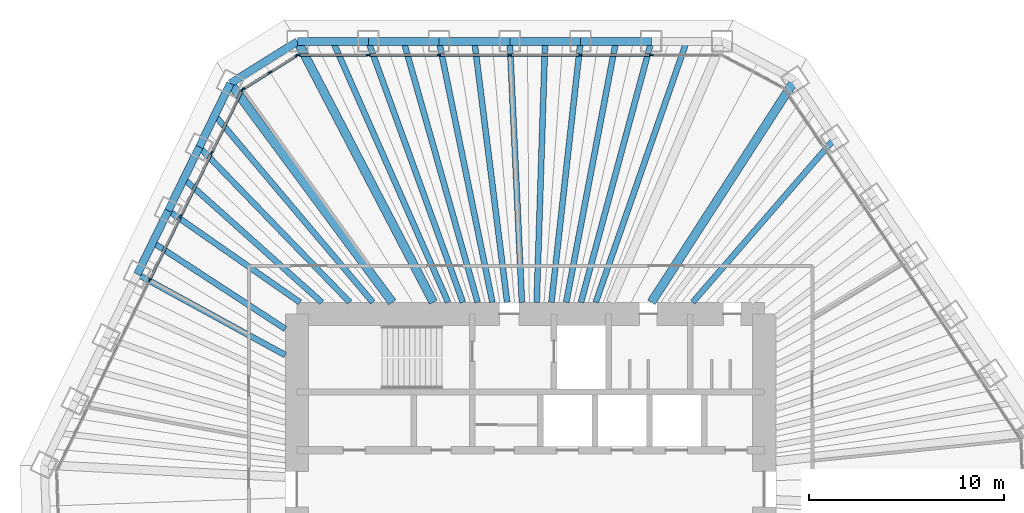
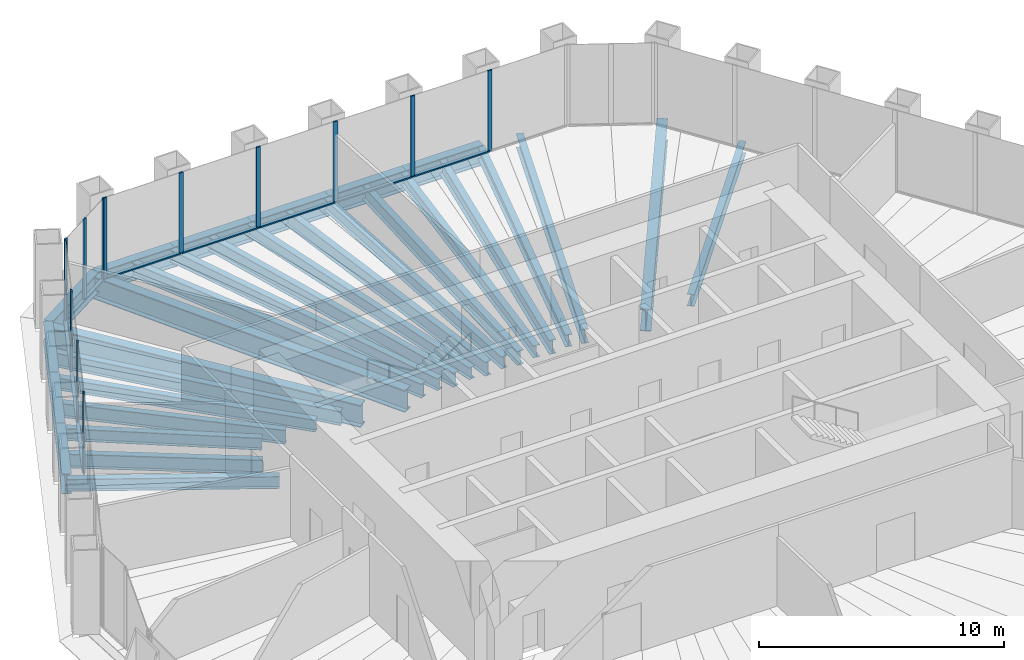
# One storey, part 6 of 13: 30 beams, 23 members, 3 elements without a shape of their own.
"""IFC4 building model written with IfcOpenShell, lengths in metres."""

import ifcopenshell
import ifcopenshell.guid

model = None  # the IFC model being written
_history = None  # IfcOwnerHistory: only IFC2X3 demands one
_inside = {}  # id of a spatial element -> (the spatial element, [elements in it])
_under = {}  # id of a project, library or spatial element -> (it, [spatial elements below it])
_declared = {}  # id of a project -> (the project, [libraries it declares])
_typed = {}  # id of a type object -> (the type object, [elements of that type])
_made_of = {}  # id of a material, layer set ... -> (it, [elements and type objects made of it])


def new_model(schema):
    """Start an empty IFC model of exactly this schema.

    Asked for "IFC4X3", IfcOpenShell would pick the latest addendum, in which some entities
    have other attributes; the version numbers below select the first issue.
    IFC2X3 requires an IfcOwnerHistory on every rooted entity: one is made here for all.
    """
    global model, _history
    if schema == "IFC4X3":
        model = ifcopenshell.file(schema_version=(4, 3, 0, 0))
    else:
        model = ifcopenshell.file(schema=schema)
    _inside.clear()
    _under.clear()
    _declared.clear()
    _typed.clear()
    _made_of.clear()
    _history = None
    if model.schema == "IFC2X3":
        org = make("IfcOrganization", Name="unknown")
        user = make(
            "IfcPersonAndOrganization",
            ThePerson=make("IfcPerson", FamilyName="unknown"),
            TheOrganization=org,
        )
        app = make(
            "IfcApplication",
            ApplicationDeveloper=org,
            Version="unknown",
            ApplicationFullName="unknown",
            ApplicationIdentifier="unknown",
        )
        _history = make(
            "IfcOwnerHistory",
            OwningUser=user,
            OwningApplication=app,
            ChangeAction="ADDED",
            CreationDate=0,
        )
    return model


def make(cls, **values):
    """One entity of the class cls with the attributes given. An attribute that is None is left unset."""
    return model.create_entity(
        cls, **{name: value for name, value in values.items() if value is not None}
    )


def rooted(cls, **values):
    """An entity with a GlobalId (a new one), such as an element, a storey or a relation."""
    return make(cls, GlobalId=ifcopenshell.guid.new(), OwnerHistory=_history, **values)


def si_unit(unit_type, name, prefix=None):
    """IfcSIUnit, for example si_unit("LENGTHUNIT", "METRE", prefix="MILLI")."""
    return make("IfcSIUnit", UnitType=unit_type, Prefix=prefix, Name=name)


def assignment(units):
    """IfcUnitAssignment: the units of a project."""
    return None if units is None else make("IfcUnitAssignment", Units=units)


def point(xyz):
    """IfcCartesianPoint."""
    return None if xyz is None else make("IfcCartesianPoint", Coordinates=xyz)


def direction(xyz):
    """IfcDirection."""
    return None if xyz is None else make("IfcDirection", DirectionRatios=xyz)


def frame(location, z_axis=None, x_axis=None):
    """IfcAxis2Placement3D, a coordinate frame: its origin and axes. An axis left out is left unset."""
    return make(
        "IfcAxis2Placement3D",
        Location=point(location),
        Axis=direction(z_axis),
        RefDirection=direction(x_axis),
    )


def frame_2d(location, x_axis=None):
    """IfcAxis2Placement2D, a coordinate frame in the plane: its origin and x axis."""
    return make(
        "IfcAxis2Placement2D", Location=point(location), RefDirection=direction(x_axis)
    )


def origin():
    """The frame at (0, 0, 0) with its axes left unset."""
    return frame((0.0, 0.0, 0.0))


def origin_2d():
    """The frame at (0, 0) in the plane with its x axis left unset."""
    return frame_2d((0.0, 0.0))


def place(relative_to, where):
    """IfcLocalPlacement: puts the frame where relative to a parent placement (None: the world)."""
    return make(
        "IfcLocalPlacement", PlacementRelTo=relative_to, RelativePlacement=where
    )


def context(
    kind, dimensions, precision=None, world=None, true_north=None, identifier=None
):
    """IfcGeometricRepresentationContext, for example the 3D "Model" context."""
    return make(
        "IfcGeometricRepresentationContext",
        ContextIdentifier=identifier,
        ContextType=kind,
        CoordinateSpaceDimension=dimensions,
        Precision=precision,
        WorldCoordinateSystem=world,
        TrueNorth=true_north,
    )


def subcontext(parent, identifier, kind, view, scale=None):
    """IfcGeometricRepresentationSubContext, for example "Body" below "Model"."""
    return make(
        "IfcGeometricRepresentationSubContext",
        ContextIdentifier=identifier,
        ContextType=kind,
        ParentContext=parent,
        TargetScale=scale,
        TargetView=view,
    )


def project(units=None, contexts=None):
    """IfcProject with its units and contexts."""
    return rooted(
        "IfcProject",
        Name="project",
        RepresentationContexts=contexts,
        UnitsInContext=assignment(units),
    )


def spatial(cls, under=None, at=None, **own):
    """A site, building, storey or space (cls), placed at a placement, below another one or the project."""
    s = rooted(cls, ObjectPlacement=at, **own)
    if under is not None:
        _under.setdefault(under.id(), (under, []))[1].append(s)
    return s


def profile(cls, at=None, kind="AREA", **sizes):
    """A parametric profile (cls). Its sizes go by their IFC names, for example OverallWidth=200.0."""
    return make(cls, ProfileType=kind, Position=at, **sizes)


def rectangle(**sizes):
    """IfcRectangleProfileDef."""
    return profile("IfcRectangleProfileDef", **sizes)


def i_section(**sizes):
    """IfcIShapeProfileDef."""
    return profile("IfcIShapeProfileDef", **sizes)


def extrude(swept, where, along, depth):
    """IfcExtrudedAreaSolid: the profile swept, set in the frame where, extruded along a direction by depth."""
    return make(
        "IfcExtrudedAreaSolid",
        SweptArea=swept,
        Position=where,
        ExtrudedDirection=direction(along),
        Depth=depth,
    )


def shape(context_of_items, identifier, shape_type, items):
    """IfcShapeRepresentation: the items that make up one representation, for example the "Body"."""
    return make(
        "IfcShapeRepresentation",
        ContextOfItems=context_of_items,
        RepresentationIdentifier=identifier,
        RepresentationType=shape_type,
        Items=items,
    )


def material(Name=None, Category=None):
    """IfcMaterial."""
    return make("IfcMaterial", Name=Name, Category=Category)


def material_profile(
    of_material, cross_section, Name=None, Category=None, Priority=None
):
    """IfcMaterialProfile: a cross section and its material."""
    return make(
        "IfcMaterialProfile",
        Name=Name,
        Material=of_material,
        Profile=cross_section,
        Priority=Priority,
        Category=Category,
    )


def profile_set(profiles, Name=None, composite=None):
    """IfcMaterialProfileSet."""
    return make(
        "IfcMaterialProfileSet",
        Name=Name,
        MaterialProfiles=profiles,
        CompositeProfile=composite,
    )


def made_of(thing, what):
    """Note that an element or type object is made of a material, layer set ...; save() writes the relation."""
    if what is not None:
        _made_of.setdefault(what.id(), (what, []))[1].append(thing)
    return thing


def type_object(cls, material=None, **own):
    """A type object (cls), such as IfcWallType, which elements share."""
    return made_of(rooted(cls, **own), material)


def element(
    cls,
    number,
    at=None,
    inside=None,
    cuts=None,
    type_object=None,
    material=None,
    context=None,
    identifier="Body",
    shape_type=None,
    held_by="IfcProductDefinitionShape",
    body=None,
    shapes=None,
    **own,
):
    """One element of the class cls, such as IfcWall. Its Tag is "e" and its number.

    at: its placement. inside: the storey or other place that contains it. cuts: it is an
    opening in that element (IfcRelVoidsElement). A single representation is given by context,
    identifier, shape_type and body (its items); several are given by shapes. held_by: the class
    of the entity that holds the representations. save() writes the other relations.
    """
    e = rooted(cls, Tag="e%d" % number, ObjectPlacement=at, **own)
    if body is not None:
        shapes = [shape(context, identifier, shape_type, body)]
    if shapes is not None:
        e.Representation = make(held_by, Representations=shapes)
    if inside is not None:
        _inside.setdefault(inside.id(), (inside, []))[1].append(e)
    if cuts is not None:
        rooted(
            "IfcRelVoidsElement", RelatingBuildingElement=cuts, RelatedOpeningElement=e
        )
    if type_object is not None:
        _typed.setdefault(type_object.id(), (type_object, []))[1].append(e)
    return made_of(e, material)


def aggregate(whole, parts):
    """IfcRelAggregates: a whole, such as a stair, and the parts it consists of."""
    return rooted("IfcRelAggregates", RelatingObject=whole, RelatedObjects=parts)


def save(model, path):
    """Write the relations noted so far, then the file.

    IfcRelAggregates (storeys below a building ...), IfcRelContainedInSpatialStructure (elements
    in a storey), IfcRelDefinesByType, IfcRelAssociatesMaterial and IfcRelDeclares: one each for
    every whole, place, type object, material and project.
    """
    for whole, parts in _under.values():
        aggregate(whole, parts)
    for where, things in _inside.values():
        rooted(
            "IfcRelContainedInSpatialStructure",
            RelatedElements=things,
            RelatingStructure=where,
        )
    for kind, things in _typed.values():
        rooted("IfcRelDefinesByType", RelatedObjects=things, RelatingType=kind)
    for what, things in _made_of.values():
        rooted("IfcRelAssociatesMaterial", RelatedObjects=things, RelatingMaterial=what)
    for by, libraries in _declared.values():
        rooted("IfcRelDeclares", RelatingContext=by, RelatedDefinitions=libraries)
    model.write(path)


model = new_model("IFC4")

# Units and contexts
model_context = context("Model", 3, precision=1e-05, world=origin(), true_north=direction((0.0, 1.0)))
body_context = subcontext(model_context, "Body", "Model", "MODEL_VIEW")
ifc_project = project(units=[si_unit("LENGTHUNIT", "METRE"), si_unit("AREAUNIT", "SQUARE_METRE"), si_unit("VOLUMEUNIT", "CUBIC_METRE"), si_unit("PLANEANGLEUNIT", "RADIAN"), si_unit("MASSUNIT", "GRAM", prefix="KILO")], contexts=[model_context])

# Site, building, storey
site_placement = place(None, origin())
site = spatial("IfcSite", under=ifc_project, at=site_placement, CompositionType="ELEMENT")
building_placement = place(site_placement, origin())
building = spatial("IfcBuilding", under=site, at=building_placement, Name="Qingtian Harvest Tower", CompositionType="ELEMENT")
storey_placement = place(building_placement, frame((0.0, 0.0, 218.199951171875)))
storey = spatial("IfcBuildingStorey", under=building, at=storey_placement, Name="L47", CompositionType="ELEMENT", Elevation=218.199951171875)

# Beams
ifc_material_1 = material(Name="Steel SM570MC", Category="steel")
ifc_material_profile_1 = material_profile(ifc_material_1, i_section(OverallWidth=0.449951171875, OverallDepth=1.10009765625, WebThickness=0.02197265625, FlangeThickness=0.044921875, at=origin_2d()), Name="H1100x450x22x45")
ifc_profile_set_1 = profile_set([ifc_material_profile_1], Name="Steel SM570MC")
beam_type_1 = type_object("IfcBeamType", Name="Corner floor beam FB8 H1100x450x22x45", PredefinedType="BEAM", material=ifc_profile_set_1)
beam_1_placement = place(storey_placement, frame((-11.971923828125, 23.0, -0.719970703125), z_axis=(0.461712460868, -0.887029651973, 0.0), x_axis=(0.887029651973, 0.461712460868, 0.0)))
element("IfcBeam", 1, at=beam_1_placement, inside=storey, type_object=beam_type_1, Name="Floor beam FB8 N0", PredefinedType="BEAM", context=body_context, shape_type="SweptSolid", body=[
    extrude(i_section(OverallWidth=0.449951171875, OverallDepth=1.10009765625, WebThickness=0.02197265625, FlangeThickness=0.044921875, at=origin_2d()), origin(), (0.0, 0.0, 1.0), 15.1064453125),
])
beam_2_placement = place(storey_placement, frame((13.5712890625, 21.01025390625, -0.719970703125), z_axis=(-0.542593072822, -0.839995688873, 0.0), x_axis=(0.839995688873, -0.542593072822, 0.0)))
element("IfcBeam", 2, at=beam_2_placement, inside=storey, type_object=beam_type_1, Name="Floor beam FB8 NE0", PredefinedType="BEAM", context=body_context, shape_type="SweptSolid", body=[
    extrude(i_section(OverallWidth=0.449951171875, OverallDepth=1.10009765625, WebThickness=0.02197265625, FlangeThickness=0.044921875, at=origin_2d()), origin(), (0.0, 0.0, 1.0), 13.58349609375),
])
beam_3_placement = place(storey_placement, frame((-15.424072265625, 20.8427734375, -0.719970703125), z_axis=(0.594854284538, -0.803833552526, 0.0), x_axis=(0.803833552526, 0.594854284538, 0.0)))
element("IfcBeam", 3, at=beam_3_placement, inside=storey, type_object=beam_type_1, Name="Floor beam FB8 NW6", PredefinedType="BEAM", context=body_context, shape_type="SweptSolid", body=[
    extrude(i_section(OverallWidth=0.449951171875, OverallDepth=1.10009765625, WebThickness=0.02197265625, FlangeThickness=0.044921875, at=origin_2d()), origin(), (0.0, 0.0, 1.0), 13.986328125),
])
ifc_material_2 = material(Name="Steel SN490B", Category="steel")
ifc_material_profile_2 = material_profile(ifc_material_2, i_section(OverallWidth=0.300048828125, OverallDepth=0.60009765625, WebThickness=0.011962890625, FlangeThickness=0.02001953125, at=origin_2d()), Name="H600x300x12x20")
ifc_profile_set_2 = profile_set([ifc_material_profile_2], Name="Steel SN490B")
beam_type_2 = type_object("IfcBeamType", Name="Floor beam FB3 H600x300x12x20", PredefinedType="BEAM", material=ifc_profile_set_2)
beam_4_placement = place(storey_placement, frame((-8.33837890625, 23.0, -0.469970703125), z_axis=(0.340826952705, -0.94012604916, 0.0), x_axis=(0.94012604916, 0.340826952705, 0.0)))
element("IfcBeam", 4, at=beam_4_placement, inside=storey, type_object=beam_type_2, Name="Floor beam FB3 N1", PredefinedType="BEAM", context=body_context, shape_type="SweptSolid", body=[
    extrude(i_section(OverallWidth=0.300048828125, OverallDepth=0.60009765625, WebThickness=0.011962890625, FlangeThickness=0.02001953125, at=origin_2d()), origin(), (0.0, 0.0, 1.0), 14.25341796875),
])
beam_5_placement = place(storey_placement, frame((-4.704833984375, 23.0, -0.469970703125), z_axis=(0.200401687601, -0.979713817197, 0.0), x_axis=(0.979713817197, 0.200401687601, 0.0)))
element("IfcBeam", 5, at=beam_5_placement, inside=storey, type_object=beam_type_2, Name="Floor beam FB3 N2", PredefinedType="BEAM", context=body_context, shape_type="SweptSolid", body=[
    extrude(i_section(OverallWidth=0.300048828125, OverallDepth=0.60009765625, WebThickness=0.011962890625, FlangeThickness=0.02001953125, at=origin_2d()), origin(), (0.0, 0.0, 1.0), 13.67724609375),
])
beam_6_placement = place(storey_placement, frame((-1.0712890625, 23.0, -0.469970703125), z_axis=(0.04651883736, -0.998917412888, 0.0), x_axis=(0.998917412888, 0.04651883736, 0.0)))
element("IfcBeam", 6, at=beam_6_placement, inside=storey, type_object=beam_type_2, Name="Floor beam FB3 N3", PredefinedType="BEAM", context=body_context, shape_type="SweptSolid", body=[
    extrude(i_section(OverallWidth=0.300048828125, OverallDepth=0.60009765625, WebThickness=0.011962890625, FlangeThickness=0.02001953125, at=origin_2d()), origin(), (0.0, 0.0, 1.0), 13.414306640625),
])
beam_7_placement = place(storey_placement, frame((2.562255859375, 23.0, -0.469970703125), z_axis=(-0.110727645803, -0.993850787822, 0.0), x_axis=(0.993850787822, -0.110727645803, 0.0)))
element("IfcBeam", 7, at=beam_7_placement, inside=storey, type_object=beam_type_2, Name="Floor beam FB3 N4", PredefinedType="BEAM", context=body_context, shape_type="SweptSolid", body=[
    extrude(i_section(OverallWidth=0.300048828125, OverallDepth=0.60009765625, WebThickness=0.011962890625, FlangeThickness=0.02001953125, at=origin_2d()), origin(), (0.0, 0.0, 1.0), 13.48291015625),
])
beam_8_placement = place(storey_placement, frame((6.19580078125, 23.0, -0.469970703125), z_axis=(-0.260121100906, -0.965576000563, 0.0), x_axis=(0.965576000563, -0.260121100906, 0.0)))
element("IfcBeam", 8, at=beam_8_placement, inside=storey, type_object=beam_type_2, Name="Floor beam FB3 N5", PredefinedType="BEAM", context=body_context, shape_type="SweptSolid", body=[
    extrude(i_section(OverallWidth=0.300048828125, OverallDepth=0.60009765625, WebThickness=0.011962890625, FlangeThickness=0.02001953125, at=origin_2d()), origin(), (0.0, 0.0, 1.0), 13.877685546875),
])
beam_9_placement = place(storey_placement, frame((15.603271484375, 17.998046875, -0.469970703125), z_axis=(-0.655048444444, -0.755586881458, 0.0), x_axis=(0.755586881458, -0.655048444444, 0.0)))
element("IfcBeam", 9, at=beam_9_placement, inside=storey, type_object=beam_type_2, Name="Floor beam FB3 NE1", PredefinedType="BEAM", context=body_context, shape_type="SweptSolid", body=[
    extrude(i_section(OverallWidth=0.300048828125, OverallDepth=0.60009765625, WebThickness=0.011962890625, FlangeThickness=0.02001953125, at=origin_2d()), origin(), (0.0, 0.0, 1.0), 11.114501953125),
])
beam_10_placement = place(storey_placement, frame((-20.20263671875, 11.04541015625, -0.469970703125), z_axis=(0.87742673539, -0.479710666988, 0.0), x_axis=(0.479710666988, 0.87742673539, 0.0)))
element("IfcBeam", 10, at=beam_10_placement, inside=storey, type_object=beam_type_2, Name="Floor beam FB3 NW3", PredefinedType="BEAM", context=body_context, shape_type="SweptSolid", body=[
    extrude(i_section(OverallWidth=0.300048828125, OverallDepth=0.60009765625, WebThickness=0.011962890625, FlangeThickness=0.02001953125, at=origin_2d()), origin(), (0.0, 0.0, 1.0), 8.66455078125),
])
beam_11_placement = place(storey_placement, frame((-18.60986328125, 14.311279296875, -0.469970703125), z_axis=(0.820407854234, -0.571778762032, 0.0), x_axis=(0.571778762032, 0.820407854234, 0.0)))
element("IfcBeam", 11, at=beam_11_placement, inside=storey, type_object=beam_type_2, Name="Floor beam FB3 NW4", PredefinedType="BEAM", context=body_context, shape_type="SweptSolid", body=[
    extrude(i_section(OverallWidth=0.300048828125, OverallDepth=0.60009765625, WebThickness=0.011962890625, FlangeThickness=0.02001953125, at=origin_2d()), origin(), (0.0, 0.0, 1.0), 8.239501953125),
])
beam_12_placement = place(storey_placement, frame((-17.016845703125, 17.5771484375, -0.469970703125), z_axis=(0.695569024353, -0.718459276759, 0.0), x_axis=(0.718459276759, 0.695569024353, 0.0)))
element("IfcBeam", 12, at=beam_12_placement, inside=storey, type_object=beam_type_2, Name="Floor beam FB3 NW5", PredefinedType="BEAM", context=body_context, shape_type="SweptSolid", body=[
    extrude(i_section(OverallWidth=0.300048828125, OverallDepth=0.60009765625, WebThickness=0.011962890625, FlangeThickness=0.02001953125, at=origin_2d()), origin(), (0.0, 0.0, 1.0), 11.10302734375),
])
ifc_material_3 = material(Name="Steel SN490B", Category="steel")
ifc_material_profile_3 = material_profile(ifc_material_3, i_section(OverallWidth=0.300048828125, OverallDepth=0.699951171875, WebThickness=0.012939453125, FlangeThickness=0.02392578125, at=origin_2d()), Name="H700x300x13x24")
ifc_profile_set_3 = profile_set([ifc_material_profile_3], Name="Steel SN490B")
beam_type_3 = type_object("IfcBeamType", Name="Floor joist J2 H700x300x13x24", PredefinedType="JOIST", material=ifc_profile_set_3)
beam_13_placement = place(storey_placement, frame((-10.1552734375, 23.0, -0.52001953125), z_axis=(0.40391347792, -0.914797191925, 0.0), x_axis=(0.914797191925, 0.40391347792, 0.0)))
element("IfcBeam", 13, at=beam_13_placement, inside=storey, type_object=beam_type_3, Name="Floor joist J2 N0", PredefinedType="JOIST", context=body_context, shape_type="SweptSolid", body=[
    extrude(i_section(OverallWidth=0.300048828125, OverallDepth=0.699951171875, WebThickness=0.012939453125, FlangeThickness=0.02392578125, at=origin_2d()), origin(), (0.0, 0.0, 1.0), 14.64794921875),
])
beam_14_placement = place(storey_placement, frame((-6.521728515625, 23.0, -0.52001953125), z_axis=(0.272796737564, -0.962071691702, 0.0), x_axis=(0.962071691702, 0.272796737564, 0.0)))
element("IfcBeam", 14, at=beam_14_placement, inside=storey, type_object=beam_type_3, Name="Floor joist J2 N1", PredefinedType="JOIST", context=body_context, shape_type="SweptSolid", body=[
    extrude(i_section(OverallWidth=0.300048828125, OverallDepth=0.699951171875, WebThickness=0.012939453125, FlangeThickness=0.02392578125, at=origin_2d()), origin(), (0.0, 0.0, 1.0), 13.92822265625),
])
beam_15_placement = place(storey_placement, frame((-2.88818359375, 23.0, -0.52001953125), z_axis=(0.124590949529, -0.992208191508, 0.0), x_axis=(0.992208191508, 0.124590949529, 0.0)))
element("IfcBeam", 15, at=beam_15_placement, inside=storey, type_object=beam_type_3, Name="Floor joist J2 N2", PredefinedType="JOIST", context=body_context, shape_type="SweptSolid", body=[
    extrude(i_section(OverallWidth=0.300048828125, OverallDepth=0.699951171875, WebThickness=0.012939453125, FlangeThickness=0.02392578125, at=origin_2d()), origin(), (0.0, 0.0, 1.0), 13.505126953125),
])
beam_16_placement = place(storey_placement, frame((0.745361328125, 23.0, -0.52001953125), z_axis=(-0.032395624487, -0.99947512401, 0.0), x_axis=(0.99947512401, -0.032395624487, 0.0)))
element("IfcBeam", 16, at=beam_16_placement, inside=storey, type_object=beam_type_3, Name="Floor joist J2 N3", PredefinedType="JOIST", context=body_context, shape_type="SweptSolid", body=[
    extrude(i_section(OverallWidth=0.300048828125, OverallDepth=0.699951171875, WebThickness=0.012939453125, FlangeThickness=0.02392578125, at=origin_2d()), origin(), (0.0, 0.0, 1.0), 13.406982421875),
])
beam_17_placement = place(storey_placement, frame((4.37890625, 23.0, -0.52001953125), z_axis=(-0.187034797062, -0.982353289142, 0.0), x_axis=(0.982353289142, -0.187034797062, 0.0)))
element("IfcBeam", 17, at=beam_17_placement, inside=storey, type_object=beam_type_3, Name="Floor joist J2 N4", PredefinedType="JOIST", context=body_context, shape_type="SweptSolid", body=[
    extrude(i_section(OverallWidth=0.300048828125, OverallDepth=0.699951171875, WebThickness=0.012939453125, FlangeThickness=0.02392578125, at=origin_2d()), origin(), (0.0, 0.0, 1.0), 13.640625),
])
beam_18_placement = place(storey_placement, frame((8.012451171875, 23.0, -0.52001953125), z_axis=(-0.328969033283, -0.944340709247, 0.0), x_axis=(0.944340709247, -0.328969033283, 0.0)))
element("IfcBeam", 18, at=beam_18_placement, inside=storey, type_object=beam_type_3, Name="Floor joist J2 N5", PredefinedType="JOIST", context=body_context, shape_type="SweptSolid", body=[
    extrude(i_section(OverallWidth=0.300048828125, OverallDepth=0.699951171875, WebThickness=0.012939453125, FlangeThickness=0.02392578125, at=origin_2d()), origin(), (0.0, 0.0, 1.0), 14.189697265625),
])
beam_19_placement = place(storey_placement, frame((-19.40625, 12.678466796875, -0.52001953125), z_axis=(0.837161066611, -0.546956441182, 0.0), x_axis=(0.546956441182, 0.837161066611, 0.0)))
element("IfcBeam", 19, at=beam_19_placement, inside=storey, type_object=beam_type_3, Name="Floor joist J2 NW3", PredefinedType="JOIST", context=body_context, shape_type="SweptSolid", body=[
    extrude(i_section(OverallWidth=0.300048828125, OverallDepth=0.699951171875, WebThickness=0.012939453125, FlangeThickness=0.02392578125, at=origin_2d()), origin(), (0.0, 0.0, 1.0), 8.130126953125),
])
beam_20_placement = place(storey_placement, frame((-17.813232421875, 15.944091796875, -0.52001953125), z_axis=(0.745126517589, -0.66692313859, 0.0), x_axis=(0.66692313859, 0.745126517589, 0.0)))
element("IfcBeam", 20, at=beam_20_placement, inside=storey, type_object=beam_type_3, Name="Floor joist J2 NW4", PredefinedType="JOIST", context=body_context, shape_type="SweptSolid", body=[
    extrude(i_section(OverallWidth=0.300048828125, OverallDepth=0.699951171875, WebThickness=0.012939453125, FlangeThickness=0.02392578125, at=origin_2d()), origin(), (0.0, 0.0, 1.0), 9.512451171875),
])
beam_21_placement = place(storey_placement, frame((-16.220458984375, 19.2099609375, -0.52001953125), z_axis=(0.645157903911, -0.764049264787, 0.0), x_axis=(0.764049264787, 0.645157903911, 0.0)))
element("IfcBeam", 21, at=beam_21_placement, inside=storey, type_object=beam_type_3, Name="Floor joist J2 NW5", PredefinedType="JOIST", context=body_context, shape_type="SweptSolid", body=[
    extrude(i_section(OverallWidth=0.300048828125, OverallDepth=0.699951171875, WebThickness=0.012939453125, FlangeThickness=0.02392578125, at=origin_2d()), origin(), (0.0, 0.0, 1.0), 12.57763671875),
])

# Curtain wall, members
ifc_material_4 = material(Name="Bronze-anodised aluminium curtain wall", Category="aluminium")
curtain_wall_type = type_object("IfcCurtainWallType", Name="Curtain wall CW4 office", PredefinedType="USERDEFINED", material=ifc_material_4)
curtain_wall_1_placement = place(storey_placement, origin())
curtain_wall_1 = element("IfcCurtainWall", 22, at=curtain_wall_1_placement, inside=storey, type_object=curtain_wall_type, Name="Curtain wall CW4 L47 N0-5", ObjectType="RECESSED CURTAIN WALL", PredefinedType="USERDEFINED")
ifc_material_5 = material(Name="Bronze-anodised aluminium mullion", Category="aluminium")
ifc_material_profile_4 = material_profile(ifc_material_5, rectangle(XDim=0.06494140625, YDim=0.199951171875, at=origin_2d()), Name="AL 65x200")
ifc_profile_set_4 = profile_set([ifc_material_profile_4], Name="Bronze-anodised aluminium mullion")
member_type_1 = type_object("IfcMemberType", Name="Mullion CWM 65x200", PredefinedType="MULLION", material=ifc_profile_set_4)
member_1_placement = place(storey_placement, frame((-11.939453125, 22.300048828125, 0.0), z_axis=(0.0, 0.0, 1.0), x_axis=(0.0, 1.0, 0.0)))
member_1 = element("IfcMember", 23, at=member_1_placement, type_object=member_type_1, Name="CW4 mullion 1", PredefinedType="MULLION", context=body_context, shape_type="SweptSolid", body=[
    extrude(rectangle(XDim=0.06494140625, YDim=0.199951171875, at=origin_2d()), origin(), (0.0, 0.0, 1.0), 4.030029296875),
])
member_2_placement = place(storey_placement, frame((-8.33837890625, 22.300048828125, 0.0), z_axis=(0.0, 0.0, 1.0), x_axis=(0.0, 1.0, 0.0)))
member_2 = element("IfcMember", 24, at=member_2_placement, type_object=member_type_1, Name="CW4 mullion 2", PredefinedType="MULLION", context=body_context, shape_type="SweptSolid", body=[
    extrude(rectangle(XDim=0.06494140625, YDim=0.199951171875, at=origin_2d()), origin(), (0.0, 0.0, 1.0), 4.030029296875),
])
member_3_placement = place(storey_placement, frame((-4.704833984375, 22.300048828125, 0.0), z_axis=(0.0, 0.0, 1.0), x_axis=(0.0, 1.0, 0.0)))
member_3 = element("IfcMember", 25, at=member_3_placement, type_object=member_type_1, Name="CW4 mullion 3", PredefinedType="MULLION", context=body_context, shape_type="SweptSolid", body=[
    extrude(rectangle(XDim=0.06494140625, YDim=0.199951171875, at=origin_2d()), origin(), (0.0, 0.0, 1.0), 4.030029296875),
])
member_4_placement = place(storey_placement, frame((-1.0712890625, 22.300048828125, 0.0), z_axis=(0.0, 0.0, 1.0), x_axis=(0.0, 1.0, 0.0)))
member_4 = element("IfcMember", 26, at=member_4_placement, type_object=member_type_1, Name="CW4 mullion 4", PredefinedType="MULLION", context=body_context, shape_type="SweptSolid", body=[
    extrude(rectangle(XDim=0.06494140625, YDim=0.199951171875, at=origin_2d()), origin(), (0.0, 0.0, 1.0), 4.030029296875),
])
member_5_placement = place(storey_placement, frame((2.562255859375, 22.300048828125, 0.0), z_axis=(0.0, 0.0, 1.0), x_axis=(0.0, 1.0, 0.0)))
member_5 = element("IfcMember", 27, at=member_5_placement, type_object=member_type_1, Name="CW4 mullion 5", PredefinedType="MULLION", context=body_context, shape_type="SweptSolid", body=[
    extrude(rectangle(XDim=0.06494140625, YDim=0.199951171875, at=origin_2d()), origin(), (0.0, 0.0, 1.0), 4.030029296875),
])
member_6_placement = place(storey_placement, frame((6.19580078125, 22.300048828125, 0.0), z_axis=(0.0, 0.0, 1.0), x_axis=(0.0, 1.0, 0.0)))
member_6 = element("IfcMember", 28, at=member_6_placement, type_object=member_type_1, Name="CW4 mullion 6", PredefinedType="MULLION", context=body_context, shape_type="SweptSolid", body=[
    extrude(rectangle(XDim=0.06494140625, YDim=0.199951171875, at=origin_2d()), origin(), (0.0, 0.0, 1.0), 4.030029296875),
])

curtain_wall_2_placement = place(storey_placement, origin())
curtain_wall_2 = element("IfcCurtainWall", 29, at=curtain_wall_2_placement, inside=storey, type_object=curtain_wall_type, Name="Curtain wall CW4 L47 NW0-5", ObjectType="RECESSED CURTAIN WALL", PredefinedType="USERDEFINED")
member_7_placement = place(storey_placement, frame((-19.573486328125, 10.738525390625, 0.0), z_axis=(0.0, 0.0, 1.0), x_axis=(-0.898794046299, 0.438371146789, 0.0)))
member_7 = element("IfcMember", 30, at=member_7_placement, type_object=member_type_1, Name="CW4 mullion 4", PredefinedType="MULLION", context=body_context, shape_type="SweptSolid", body=[
    extrude(rectangle(XDim=0.06494140625, YDim=0.199951171875, at=origin_2d()), origin(), (0.0, 0.0, 1.0), 4.030029296875),
])
member_8_placement = place(storey_placement, frame((-17.980712890625, 14.00439453125, 0.0), z_axis=(0.0, 0.0, 1.0), x_axis=(-0.898794046299, 0.438371146789, 0.0)))
member_8 = element("IfcMember", 31, at=member_8_placement, type_object=member_type_1, Name="CW4 mullion 5", PredefinedType="MULLION", context=body_context, shape_type="SweptSolid", body=[
    extrude(rectangle(XDim=0.06494140625, YDim=0.199951171875, at=origin_2d()), origin(), (0.0, 0.0, 1.0), 4.030029296875),
])
member_9_placement = place(storey_placement, frame((-16.3876953125, 17.270263671875, 0.0), z_axis=(0.0, 0.0, 1.0), x_axis=(-0.898794046299, 0.438371146789, 0.0)))
member_9 = element("IfcMember", 32, at=member_9_placement, type_object=member_type_1, Name="CW4 mullion 6", PredefinedType="MULLION", context=body_context, shape_type="SweptSolid", body=[
    extrude(rectangle(XDim=0.06494140625, YDim=0.199951171875, at=origin_2d()), origin(), (0.0, 0.0, 1.0), 4.030029296875),
])
member_10_placement = place(storey_placement, frame((-14.80908203125, 20.5068359375, 0.0), z_axis=(0.0, 0.0, 1.0), x_axis=(-0.898794046299, 0.438371146789, 0.0)))
member_10 = element("IfcMember", 33, at=member_10_placement, type_object=member_type_1, Name="CW4 mullion 7", PredefinedType="MULLION", context=body_context, shape_type="SweptSolid", body=[
    extrude(rectangle(XDim=0.06494140625, YDim=0.199951171875, at=origin_2d()), origin(), (0.0, 0.0, 1.0), 4.030029296875),
])

curtain_wall_3_placement = place(storey_placement, origin())
curtain_wall_3 = element("IfcCurtainWall", 34, at=curtain_wall_3_placement, inside=storey, type_object=curtain_wall_type, Name="Curtain wall CW4 L47 NWC", ObjectType="RECESSED CURTAIN WALL", PredefinedType="USERDEFINED")
member_11_placement = place(storey_placement, frame((-14.767333984375, 20.55322265625, 0.0), z_axis=(0.0, 0.0, 1.0), x_axis=(-0.529919264233, 0.848048096156, 0.0)))
member_11 = element("IfcMember", 35, at=member_11_placement, type_object=member_type_1, Name="CW4 mullion 1", PredefinedType="MULLION", context=body_context, shape_type="SweptSolid", body=[
    extrude(rectangle(XDim=0.06494140625, YDim=0.199951171875, at=origin_2d()), origin(), (0.0, 0.0, 1.0), 4.030029296875),
])
member_12_placement = place(storey_placement, frame((-13.383544921875, 21.41796875, 0.0), z_axis=(0.0, 0.0, 1.0), x_axis=(-0.529919264233, 0.848048096156, 0.0)))
member_12 = element("IfcMember", 36, at=member_12_placement, type_object=member_type_1, Name="CW4 mullion 2", PredefinedType="MULLION", context=body_context, shape_type="SweptSolid", body=[
    extrude(rectangle(XDim=0.06494140625, YDim=0.199951171875, at=origin_2d()), origin(), (0.0, 0.0, 1.0), 4.030029296875),
])
member_13_placement = place(storey_placement, frame((-11.99951171875, 22.28271484375, 0.0), z_axis=(0.0, 0.0, 1.0), x_axis=(-0.529919264233, 0.848048096156, 0.0)))
member_13 = element("IfcMember", 37, at=member_13_placement, type_object=member_type_1, Name="CW4 mullion 3", PredefinedType="MULLION", context=body_context, shape_type="SweptSolid", body=[
    extrude(rectangle(XDim=0.06494140625, YDim=0.199951171875, at=origin_2d()), origin(), (0.0, 0.0, 1.0), 4.030029296875),
])

# Beams
ifc_material_6 = material(Name="Steel SN490B", Category="steel")
ifc_material_profile_5 = material_profile(ifc_material_6, i_section(OverallWidth=0.39990234375, OverallDepth=1.0, WebThickness=0.01904296875, FlangeThickness=0.035888671875, at=origin_2d()), Name="H1000x400x19x36")
ifc_profile_set_5 = profile_set([ifc_material_profile_5], Name="Steel SN490B")
beam_type_4 = type_object("IfcBeamType", Name="Spandrel beam SB3 H1000x400x19x36", PredefinedType="SPANDREL", material=ifc_profile_set_5)
for number, where, z_axis, x_axis, name in (
    (38, (-11.971923828125, 23.0, -0.5), (1.0, 0.0, 0.0), (0.0, 1.0, 0.0), "Spandrel SB3 N0"),
    (39, (-8.33837890625, 23.0, -0.5), (1.0, 0.0, 0.0), (0.0, 1.0, 0.0), "Spandrel SB3 N1"),
    (40, (-4.704833984375, 23.0, -0.5), (1.0, 0.0, 0.0), (0.0, 1.0, 0.0), "Spandrel SB3 N2"),
    (41, (-1.0712890625, 23.0, -0.5), (1.0, 0.0, 0.0), (0.0, 1.0, 0.0), "Spandrel SB3 N3"),
    (42, (2.562255859375, 23.0, -0.5), (1.0, 0.0, 0.0), (0.0, 1.0, 0.0), "Spandrel SB3 N4"),
    (43, (-20.20263671875, 11.04541015625, -0.5), (0.438349498419, 0.898804604592, 0.0), (-0.898804604592, 0.438349498419, 0.0), "Spandrel SB3 NW3"),
):
    element("IfcBeam", number, at=place(storey_placement, frame(where, z_axis=z_axis, x_axis=x_axis)), inside=storey, type_object=beam_type_4, Name=name, PredefinedType="SPANDREL", context=body_context, shape_type="SweptSolid", body=[
        extrude(i_section(OverallWidth=0.39990234375, OverallDepth=1.0, WebThickness=0.01904296875, FlangeThickness=0.035888671875, at=origin_2d()), origin(), (0.0, 0.0, 1.0), 3.633544921875),
    ])
beam_22_placement = place(storey_placement, frame((-18.60986328125, 14.311279296875, -0.5), z_axis=(0.438403775684, 0.898778131391, 0.0), x_axis=(-0.898778131391, 0.438403775684, 0.0)))
element("IfcBeam", 44, at=beam_22_placement, inside=storey, type_object=beam_type_4, Name="Spandrel SB3 NW4", PredefinedType="SPANDREL", context=body_context, shape_type="SweptSolid", body=[
    extrude(i_section(OverallWidth=0.39990234375, OverallDepth=1.0, WebThickness=0.01904296875, FlangeThickness=0.035888671875, at=origin_2d()), origin(), (0.0, 0.0, 1.0), 3.6337890625),
])
beam_23_placement = place(storey_placement, frame((-17.016845703125, 17.5771484375, -0.5), z_axis=(0.43837597217, 0.898791692788, 0.0), x_axis=(-0.898791692788, 0.43837597217, 0.0)))
element("IfcBeam", 45, at=beam_23_placement, inside=storey, type_object=beam_type_4, Name="Spandrel SB3 NW5", PredefinedType="SPANDREL", context=body_context, shape_type="SweptSolid", body=[
    extrude(i_section(OverallWidth=0.39990234375, OverallDepth=1.0, WebThickness=0.01904296875, FlangeThickness=0.035888671875, at=origin_2d()), origin(), (0.0, 0.0, 1.0), 3.63330078125),
])
beam_24_placement = place(storey_placement, frame((-15.424072265625, 20.8427734375, -0.5), z_axis=(0.848038733752, 0.529934246919, 0.0), x_axis=(-0.529934246919, 0.848038733752, 0.0)))
element("IfcBeam", 46, at=beam_24_placement, inside=storey, type_object=beam_type_4, Name="Spandrel SB3 NWC", PredefinedType="SPANDREL", context=body_context, shape_type="SweptSolid", body=[
    extrude(i_section(OverallWidth=0.39990234375, OverallDepth=1.0, WebThickness=0.01904296875, FlangeThickness=0.035888671875, at=origin_2d()), origin(), (0.0, 0.0, 1.0), 4.07080078125),
])

# Member
ifc_material_7 = material(Name="Bronze-anodised aluminium transom", Category="aluminium")
ifc_material_profile_6 = material_profile(ifc_material_7, rectangle(XDim=0.14990234375, YDim=0.06494140625, at=origin_2d()), Name="AL 65x150")
ifc_profile_set_6 = profile_set([ifc_material_profile_6], Name="Bronze-anodised aluminium transom")
member_type_2 = type_object("IfcMemberType", Name="Transom CWT 65x150", PredefinedType="USERDEFINED", material=ifc_profile_set_6)
member_14_placement = place(storey_placement, frame((-11.906982421875, 22.300048828125, 0.032470703125), z_axis=(1.0, 0.0, 0.0), x_axis=(0.0, 1.0, 0.0)))
member_14 = element("IfcMember", 47, at=member_14_placement, type_object=member_type_2, Name="CW4 transom 1.1", ObjectType="TRANSOM", PredefinedType="USERDEFINED", context=body_context, shape_type="SweptSolid", body=[
    extrude(rectangle(XDim=0.14990234375, YDim=0.06494140625, at=origin_2d()), origin(), (0.0, 0.0, 1.0), 3.5361328125),
])

member_15_placement = place(storey_placement, frame((-8.305908203125, 22.300048828125, 0.032470703125), z_axis=(1.0, 0.0, 0.0), x_axis=(0.0, 1.0, 0.0)))
member_15 = element("IfcMember", 48, at=member_15_placement, type_object=member_type_2, Name="CW4 transom 2.1", ObjectType="TRANSOM", PredefinedType="USERDEFINED", context=body_context, shape_type="SweptSolid", body=[
    extrude(rectangle(XDim=0.14990234375, YDim=0.06494140625, at=origin_2d()), origin(), (0.0, 0.0, 1.0), 3.568603515625),
])

member_16_placement = place(storey_placement, frame((-4.67236328125, 22.300048828125, 0.032470703125), z_axis=(1.0, 0.0, 0.0), x_axis=(0.0, 1.0, 0.0)))
member_16 = element("IfcMember", 49, at=member_16_placement, type_object=member_type_2, Name="CW4 transom 3.1", ObjectType="TRANSOM", PredefinedType="USERDEFINED", context=body_context, shape_type="SweptSolid", body=[
    extrude(rectangle(XDim=0.14990234375, YDim=0.06494140625, at=origin_2d()), origin(), (0.0, 0.0, 1.0), 3.568603515625),
])

member_17_placement = place(storey_placement, frame((-1.038818359375, 22.300048828125, 0.032470703125), z_axis=(1.0, 0.0, 0.0), x_axis=(0.0, 1.0, 0.0)))
member_17 = element("IfcMember", 50, at=member_17_placement, type_object=member_type_2, Name="CW4 transom 4.1", ObjectType="TRANSOM", PredefinedType="USERDEFINED", context=body_context, shape_type="SweptSolid", body=[
    extrude(rectangle(XDim=0.14990234375, YDim=0.06494140625, at=origin_2d()), origin(), (0.0, 0.0, 1.0), 3.568603515625),
])

member_18_placement = place(storey_placement, frame((2.5947265625, 22.300048828125, 0.032470703125), z_axis=(1.0, 0.0, 0.0), x_axis=(0.0, 1.0, 0.0)))
member_18 = element("IfcMember", 51, at=member_18_placement, type_object=member_type_2, Name="CW4 transom 5.1", ObjectType="TRANSOM", PredefinedType="USERDEFINED", context=body_context, shape_type="SweptSolid", body=[
    extrude(rectangle(XDim=0.14990234375, YDim=0.06494140625, at=origin_2d()), origin(), (0.0, 0.0, 1.0), 3.568603515625),
])

aggregate(curtain_wall_1, [member_1, member_2, member_3, member_4, member_5, member_6, member_14, member_15, member_16, member_17, member_18])

member_19_placement = place(storey_placement, frame((-19.559326171875, 10.767822265625, 0.032470703125), z_axis=(0.438407456795, 0.898776335818, 0.0), x_axis=(-0.898776335818, 0.438407456795, 0.0)))
member_19 = element("IfcMember", 52, at=member_19_placement, type_object=member_type_2, Name="CW4 transom 4.1", ObjectType="TRANSOM", PredefinedType="USERDEFINED", context=body_context, shape_type="SweptSolid", body=[
    extrude(rectangle(XDim=0.14990234375, YDim=0.06494140625, at=origin_2d()), origin(), (0.0, 0.0, 1.0), 3.568603515625),
])

member_20_placement = place(storey_placement, frame((-17.96630859375, 14.03369140625, 0.032470703125), z_axis=(0.438352188226, 0.898803292761, 0.0), x_axis=(-0.898803292761, 0.438352188226, 0.0)))
member_20 = element("IfcMember", 53, at=member_20_placement, type_object=member_type_2, Name="CW4 transom 5.1", ObjectType="TRANSOM", PredefinedType="USERDEFINED", context=body_context, shape_type="SweptSolid", body=[
    extrude(rectangle(XDim=0.14990234375, YDim=0.06494140625, at=origin_2d()), origin(), (0.0, 0.0, 1.0), 3.568359375),
])

member_21_placement = place(storey_placement, frame((-16.37353515625, 17.29931640625, 0.032470703125), z_axis=(0.438354255898, 0.898802284341, 0.0), x_axis=(-0.898802284341, 0.438354255898, 0.0)))
member_21 = element("IfcMember", 54, at=member_21_placement, type_object=member_type_2, Name="CW4 transom 6.1", ObjectType="TRANSOM", PredefinedType="USERDEFINED", context=body_context, shape_type="SweptSolid", body=[
    extrude(rectangle(XDim=0.14990234375, YDim=0.06494140625, at=origin_2d()), origin(), (0.0, 0.0, 1.0), 3.5361328125),
])

aggregate(curtain_wall_2, [member_7, member_8, member_9, member_10, member_19, member_20, member_21])

member_22_placement = place(storey_placement, frame((-14.73974609375, 20.570556640625, 0.032470703125), z_axis=(0.848015812303, 0.529970925697, 0.0), x_axis=(-0.529970925697, 0.848015812303, 0.0)))
member_22 = element("IfcMember", 55, at=member_22_placement, type_object=member_type_2, Name="CW4 transom 1.1", ObjectType="TRANSOM", PredefinedType="USERDEFINED", context=body_context, shape_type="SweptSolid", body=[
    extrude(rectangle(XDim=0.14990234375, YDim=0.06494140625, at=origin_2d()), origin(), (0.0, 0.0, 1.0), 1.566650390625),
])

member_23_placement = place(storey_placement, frame((-13.35595703125, 21.435302734375, 0.032470703125), z_axis=(0.848059570903, 0.529900900357, 0.0), x_axis=(-0.529900900357, 0.848059570903, 0.0)))
member_23 = element("IfcMember", 56, at=member_23_placement, type_object=member_type_2, Name="CW4 transom 2.1", ObjectType="TRANSOM", PredefinedType="USERDEFINED", context=body_context, shape_type="SweptSolid", body=[
    extrude(rectangle(XDim=0.14990234375, YDim=0.06494140625, at=origin_2d()), origin(), (0.0, 0.0, 1.0), 1.56689453125),
])

aggregate(curtain_wall_3, [member_11, member_12, member_13, member_22, member_23])

save(model, "model.ifc")
